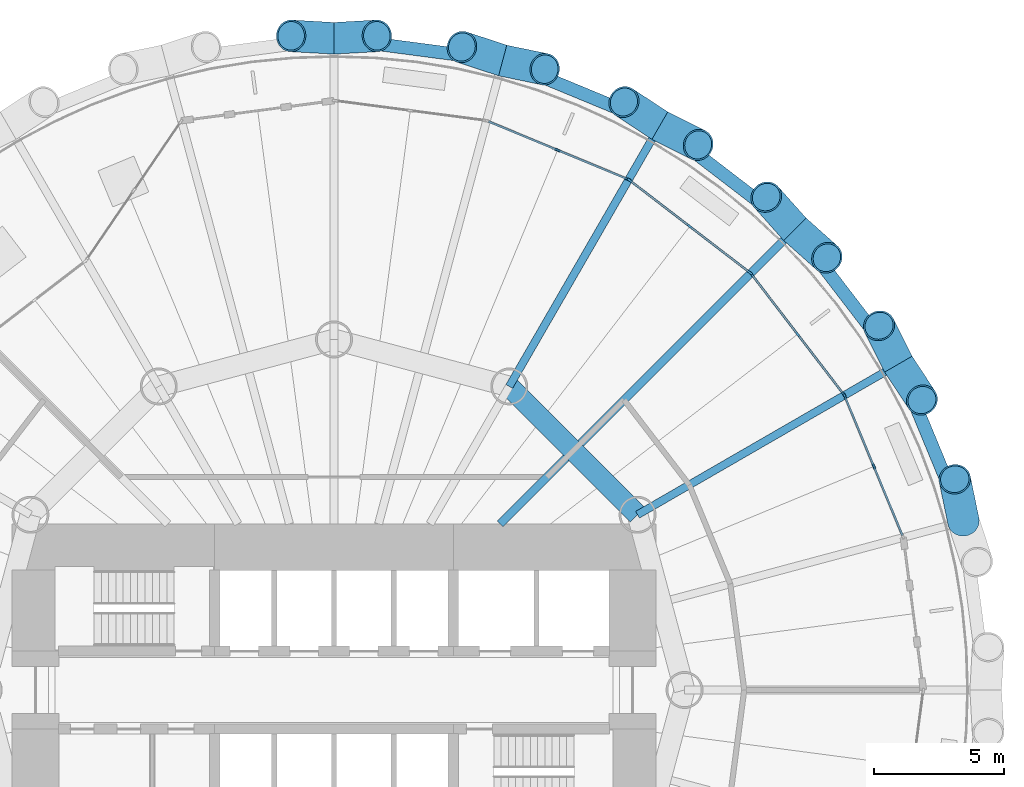
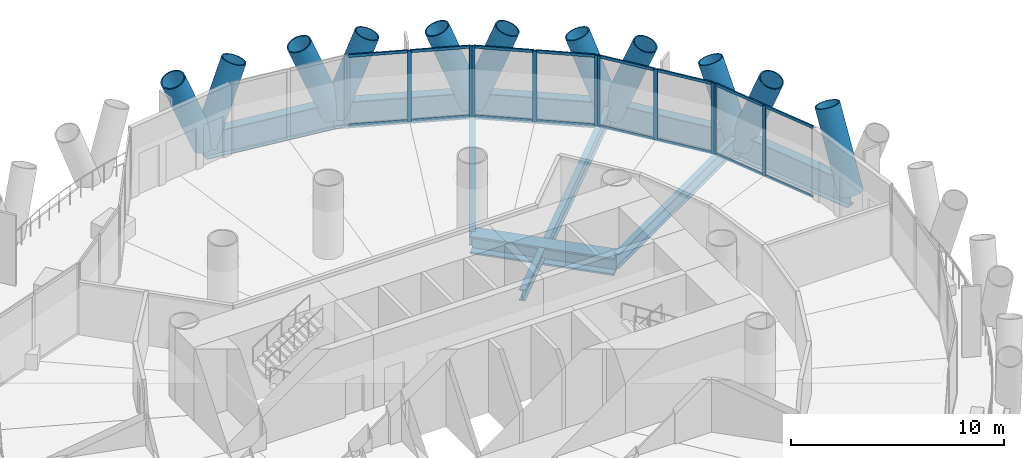
# One storey, part 6 of 14: 37 members, 10 beams, 4 elements without a shape of their own.
"""IFC4 building model written with IfcOpenShell, lengths in metres."""

import ifcopenshell
import ifcopenshell.guid

model = None  # the IFC model being written
_history = None  # IfcOwnerHistory: only IFC2X3 demands one
_inside = {}  # id of a spatial element -> (the spatial element, [elements in it])
_under = {}  # id of a project, library or spatial element -> (it, [spatial elements below it])
_declared = {}  # id of a project -> (the project, [libraries it declares])
_typed = {}  # id of a type object -> (the type object, [elements of that type])
_made_of = {}  # id of a material, layer set ... -> (it, [elements and type objects made of it])


def new_model(schema):
    """Start an empty IFC model of exactly this schema.

    Asked for "IFC4X3", IfcOpenShell would pick the latest addendum, in which some entities
    have other attributes; the version numbers below select the first issue.
    IFC2X3 requires an IfcOwnerHistory on every rooted entity: one is made here for all.
    """
    global model, _history
    if schema == "IFC4X3":
        model = ifcopenshell.file(schema_version=(4, 3, 0, 0))
    else:
        model = ifcopenshell.file(schema=schema)
    _inside.clear()
    _under.clear()
    _declared.clear()
    _typed.clear()
    _made_of.clear()
    _history = None
    if model.schema == "IFC2X3":
        org = make("IfcOrganization", Name="unknown")
        user = make(
            "IfcPersonAndOrganization",
            ThePerson=make("IfcPerson", FamilyName="unknown"),
            TheOrganization=org,
        )
        app = make(
            "IfcApplication",
            ApplicationDeveloper=org,
            Version="unknown",
            ApplicationFullName="unknown",
            ApplicationIdentifier="unknown",
        )
        _history = make(
            "IfcOwnerHistory",
            OwningUser=user,
            OwningApplication=app,
            ChangeAction="ADDED",
            CreationDate=0,
        )
    return model


def make(cls, **values):
    """One entity of the class cls with the attributes given. An attribute that is None is left unset."""
    return model.create_entity(
        cls, **{name: value for name, value in values.items() if value is not None}
    )


def rooted(cls, **values):
    """An entity with a GlobalId (a new one), such as an element, a storey or a relation."""
    return make(cls, GlobalId=ifcopenshell.guid.new(), OwnerHistory=_history, **values)


def si_unit(unit_type, name, prefix=None):
    """IfcSIUnit, for example si_unit("LENGTHUNIT", "METRE", prefix="MILLI")."""
    return make("IfcSIUnit", UnitType=unit_type, Prefix=prefix, Name=name)


def assignment(units):
    """IfcUnitAssignment: the units of a project."""
    return None if units is None else make("IfcUnitAssignment", Units=units)


def point(xyz):
    """IfcCartesianPoint."""
    return None if xyz is None else make("IfcCartesianPoint", Coordinates=xyz)


def direction(xyz):
    """IfcDirection."""
    return None if xyz is None else make("IfcDirection", DirectionRatios=xyz)


def frame(location, z_axis=None, x_axis=None):
    """IfcAxis2Placement3D, a coordinate frame: its origin and axes. An axis left out is left unset."""
    return make(
        "IfcAxis2Placement3D",
        Location=point(location),
        Axis=direction(z_axis),
        RefDirection=direction(x_axis),
    )


def frame_2d(location, x_axis=None):
    """IfcAxis2Placement2D, a coordinate frame in the plane: its origin and x axis."""
    return make(
        "IfcAxis2Placement2D", Location=point(location), RefDirection=direction(x_axis)
    )


def origin():
    """The frame at (0, 0, 0) with its axes left unset."""
    return frame((0.0, 0.0, 0.0))


def origin_2d():
    """The frame at (0, 0) in the plane with its x axis left unset."""
    return frame_2d((0.0, 0.0))


def place(relative_to, where):
    """IfcLocalPlacement: puts the frame where relative to a parent placement (None: the world)."""
    return make(
        "IfcLocalPlacement", PlacementRelTo=relative_to, RelativePlacement=where
    )


def context(
    kind, dimensions, precision=None, world=None, true_north=None, identifier=None
):
    """IfcGeometricRepresentationContext, for example the 3D "Model" context."""
    return make(
        "IfcGeometricRepresentationContext",
        ContextIdentifier=identifier,
        ContextType=kind,
        CoordinateSpaceDimension=dimensions,
        Precision=precision,
        WorldCoordinateSystem=world,
        TrueNorth=true_north,
    )


def subcontext(parent, identifier, kind, view, scale=None):
    """IfcGeometricRepresentationSubContext, for example "Body" below "Model"."""
    return make(
        "IfcGeometricRepresentationSubContext",
        ContextIdentifier=identifier,
        ContextType=kind,
        ParentContext=parent,
        TargetScale=scale,
        TargetView=view,
    )


def project(units=None, contexts=None):
    """IfcProject with its units and contexts."""
    return rooted(
        "IfcProject",
        Name="project",
        RepresentationContexts=contexts,
        UnitsInContext=assignment(units),
    )


def spatial(cls, under=None, at=None, **own):
    """A site, building, storey or space (cls), placed at a placement, below another one or the project."""
    s = rooted(cls, ObjectPlacement=at, **own)
    if under is not None:
        _under.setdefault(under.id(), (under, []))[1].append(s)
    return s


def profile(cls, at=None, kind="AREA", **sizes):
    """A parametric profile (cls). Its sizes go by their IFC names, for example OverallWidth=200.0."""
    return make(cls, ProfileType=kind, Position=at, **sizes)


def rectangle(**sizes):
    """IfcRectangleProfileDef."""
    return profile("IfcRectangleProfileDef", **sizes)


def hollow_circle(**sizes):
    """IfcCircleHollowProfileDef."""
    return profile("IfcCircleHollowProfileDef", **sizes)


def i_section(**sizes):
    """IfcIShapeProfileDef."""
    return profile("IfcIShapeProfileDef", **sizes)


def extrude(swept, where, along, depth):
    """IfcExtrudedAreaSolid: the profile swept, set in the frame where, extruded along a direction by depth."""
    return make(
        "IfcExtrudedAreaSolid",
        SweptArea=swept,
        Position=where,
        ExtrudedDirection=direction(along),
        Depth=depth,
    )


def shape(context_of_items, identifier, shape_type, items):
    """IfcShapeRepresentation: the items that make up one representation, for example the "Body"."""
    return make(
        "IfcShapeRepresentation",
        ContextOfItems=context_of_items,
        RepresentationIdentifier=identifier,
        RepresentationType=shape_type,
        Items=items,
    )


def material(Name=None, Category=None):
    """IfcMaterial."""
    return make("IfcMaterial", Name=Name, Category=Category)


def material_profile(
    of_material, cross_section, Name=None, Category=None, Priority=None
):
    """IfcMaterialProfile: a cross section and its material."""
    return make(
        "IfcMaterialProfile",
        Name=Name,
        Material=of_material,
        Profile=cross_section,
        Priority=Priority,
        Category=Category,
    )


def profile_set(profiles, Name=None, composite=None):
    """IfcMaterialProfileSet."""
    return make(
        "IfcMaterialProfileSet",
        Name=Name,
        MaterialProfiles=profiles,
        CompositeProfile=composite,
    )


def made_of(thing, what):
    """Note that an element or type object is made of a material, layer set ...; save() writes the relation."""
    if what is not None:
        _made_of.setdefault(what.id(), (what, []))[1].append(thing)
    return thing


def type_object(cls, material=None, **own):
    """A type object (cls), such as IfcWallType, which elements share."""
    return made_of(rooted(cls, **own), material)


def element(
    cls,
    number,
    at=None,
    inside=None,
    cuts=None,
    type_object=None,
    material=None,
    context=None,
    identifier="Body",
    shape_type=None,
    held_by="IfcProductDefinitionShape",
    body=None,
    shapes=None,
    **own,
):
    """One element of the class cls, such as IfcWall. Its Tag is "e" and its number.

    at: its placement. inside: the storey or other place that contains it. cuts: it is an
    opening in that element (IfcRelVoidsElement). A single representation is given by context,
    identifier, shape_type and body (its items); several are given by shapes. held_by: the class
    of the entity that holds the representations. save() writes the other relations.
    """
    e = rooted(cls, Tag="e%d" % number, ObjectPlacement=at, **own)
    if body is not None:
        shapes = [shape(context, identifier, shape_type, body)]
    if shapes is not None:
        e.Representation = make(held_by, Representations=shapes)
    if inside is not None:
        _inside.setdefault(inside.id(), (inside, []))[1].append(e)
    if cuts is not None:
        rooted(
            "IfcRelVoidsElement", RelatingBuildingElement=cuts, RelatedOpeningElement=e
        )
    if type_object is not None:
        _typed.setdefault(type_object.id(), (type_object, []))[1].append(e)
    return made_of(e, material)


def aggregate(whole, parts):
    """IfcRelAggregates: a whole, such as a stair, and the parts it consists of."""
    return rooted("IfcRelAggregates", RelatingObject=whole, RelatedObjects=parts)


def save(model, path):
    """Write the relations noted so far, then the file.

    IfcRelAggregates (storeys below a building ...), IfcRelContainedInSpatialStructure (elements
    in a storey), IfcRelDefinesByType, IfcRelAssociatesMaterial and IfcRelDeclares: one each for
    every whole, place, type object, material and project.
    """
    for whole, parts in _under.values():
        aggregate(whole, parts)
    for where, things in _inside.values():
        rooted(
            "IfcRelContainedInSpatialStructure",
            RelatedElements=things,
            RelatingStructure=where,
        )
    for kind, things in _typed.values():
        rooted("IfcRelDefinesByType", RelatedObjects=things, RelatingType=kind)
    for what, things in _made_of.values():
        rooted("IfcRelAssociatesMaterial", RelatedObjects=things, RelatingMaterial=what)
    for by, libraries in _declared.values():
        rooted("IfcRelDeclares", RelatingContext=by, RelatedDefinitions=libraries)
    model.write(path)


model = new_model("IFC4")

# Units and contexts
model_context = context("Model", 3, precision=1e-05, world=origin(), true_north=direction((0.0, 1.0)))
body_context = subcontext(model_context, "Body", "Model", "MODEL_VIEW")
ifc_project = project(units=[si_unit("LENGTHUNIT", "METRE"), si_unit("AREAUNIT", "SQUARE_METRE"), si_unit("VOLUMEUNIT", "CUBIC_METRE"), si_unit("PLANEANGLEUNIT", "RADIAN"), si_unit("MASSUNIT", "GRAM", prefix="KILO")], contexts=[model_context])

# Site, building, storey
site_placement = place(None, origin())
site = spatial("IfcSite", under=ifc_project, at=site_placement, CompositionType="ELEMENT")
building_placement = place(site_placement, origin())
building = spatial("IfcBuilding", under=site, at=building_placement, Name="Qaws Media Tower", CompositionType="ELEMENT")
storey_placement = place(building_placement, frame((0.0, 0.0, 59.60009765625)))
storey = spatial("IfcBuildingStorey", under=building, at=storey_placement, Name="L12", CompositionType="ELEMENT", Elevation=59.60009765625)

# Curtain wall, members
ifc_material_1 = material(Name="Aluminium and clear glass", Category="aluminium")
curtain_wall_type = type_object("IfcCurtainWallType", Name="Unitised curtain wall CW-A", PredefinedType="NOTDEFINED", material=ifc_material_1)
curtain_wall_1_placement = place(storey_placement, origin())
curtain_wall_1 = element("IfcCurtainWall", 1, at=curtain_wall_1_placement, inside=storey, type_object=curtain_wall_type, Name="CWA curtain wall L12-02", PredefinedType="NOTDEFINED")
ifc_material_2 = material(Name="Aluminium mullion", Category="aluminium")
ifc_material_profile_1 = material_profile(ifc_material_2, rectangle(XDim=0.080078125, YDim=0.199951171875, at=origin_2d()), Name="80x200")
ifc_profile_set_1 = profile_set([ifc_material_profile_1], Name="Aluminium mullion")
member_type_1 = type_object("IfcMemberType", Name="Curtain wall mullion 80x200", PredefinedType="MULLION", material=ifc_profile_set_1)
member_1_placement = place(storey_placement, frame((80.792724609375, 58.612548828125, 0.0), z_axis=(0.0, 0.0, 1.0), x_axis=(-0.923879575765, -0.382683327941, 0.0)))
member_1 = element("IfcMember", 2, at=member_1_placement, type_object=member_type_1, Name="CWA mullion 2", PredefinedType="MULLION", context=body_context, shape_type="SweptSolid", body=[
    extrude(rectangle(XDim=0.080078125, YDim=0.199951171875, at=origin_2d()), origin(), (0.0, 0.0, 1.0), 4.039794921875),
])
member_2_placement = place(storey_placement, frame((79.674072265625, 61.31298828125, 0.0), z_axis=(0.0, 0.0, 1.0), x_axis=(-0.923879575765, -0.382683327941, 0.0)))
member_2 = element("IfcMember", 3, at=member_2_placement, type_object=member_type_1, Name="CWA mullion 3", PredefinedType="MULLION", context=body_context, shape_type="SweptSolid", body=[
    extrude(rectangle(XDim=0.080078125, YDim=0.199951171875, at=origin_2d()), origin(), (0.0, 0.0, 1.0), 4.039794921875),
])

curtain_wall_2_placement = place(storey_placement, origin())
curtain_wall_2 = element("IfcCurtainWall", 4, at=curtain_wall_2_placement, inside=storey, type_object=curtain_wall_type, Name="CWA curtain wall L12-03", PredefinedType="NOTDEFINED")
member_3_placement = place(storey_placement, frame((79.634521484375, 61.3818359375, 0.0), z_axis=(0.0, 0.0, 1.0), x_axis=(-0.793353322718, -0.608761451911, 0.0)))
member_3 = element("IfcMember", 5, at=member_3_placement, type_object=member_type_1, Name="CWA mullion 1", PredefinedType="MULLION", context=body_context, shape_type="SweptSolid", body=[
    extrude(rectangle(XDim=0.080078125, YDim=0.199951171875, at=origin_2d()), origin(), (0.0, 0.0, 1.0), 4.039794921875),
])
member_4_placement = place(storey_placement, frame((77.85498046875, 63.70068359375, 0.0), z_axis=(0.0, 0.0, 1.0), x_axis=(-0.793353322718, -0.608761451911, 0.0)))
member_4 = element("IfcMember", 6, at=member_4_placement, type_object=member_type_1, Name="CWA mullion 2", PredefinedType="MULLION", context=body_context, shape_type="SweptSolid", body=[
    extrude(rectangle(XDim=0.080078125, YDim=0.199951171875, at=origin_2d()), origin(), (0.0, 0.0, 1.0), 4.039794921875),
])
member_5_placement = place(storey_placement, frame((76.07568359375, 66.01953125, 0.0), z_axis=(0.0, 0.0, 1.0), x_axis=(-0.793353322718, -0.608761451911, 0.0)))
member_5 = element("IfcMember", 7, at=member_5_placement, type_object=member_type_1, Name="CWA mullion 3", PredefinedType="MULLION", context=body_context, shape_type="SweptSolid", body=[
    extrude(rectangle(XDim=0.080078125, YDim=0.199951171875, at=origin_2d()), origin(), (0.0, 0.0, 1.0), 4.039794921875),
])

curtain_wall_3_placement = place(storey_placement, origin())
curtain_wall_3 = element("IfcCurtainWall", 8, at=curtain_wall_3_placement, inside=storey, type_object=curtain_wall_type, Name="CWA curtain wall L12-04", PredefinedType="NOTDEFINED")
member_6_placement = place(storey_placement, frame((76.01953125, 66.07568359375, 0.0), z_axis=(0.0, 0.0, 1.0), x_axis=(-0.608761451911, -0.793353322718, 0.0)))
member_6 = element("IfcMember", 9, at=member_6_placement, type_object=member_type_1, Name="CWA mullion 1", PredefinedType="MULLION", context=body_context, shape_type="SweptSolid", body=[
    extrude(rectangle(XDim=0.080078125, YDim=0.199951171875, at=origin_2d()), origin(), (0.0, 0.0, 1.0), 4.039794921875),
])
member_7_placement = place(storey_placement, frame((73.70068359375, 67.85498046875, 0.0), z_axis=(0.0, 0.0, 1.0), x_axis=(-0.608761451911, -0.793353322718, 0.0)))
member_7 = element("IfcMember", 10, at=member_7_placement, type_object=member_type_1, Name="CWA mullion 2", PredefinedType="MULLION", context=body_context, shape_type="SweptSolid", body=[
    extrude(rectangle(XDim=0.080078125, YDim=0.199951171875, at=origin_2d()), origin(), (0.0, 0.0, 1.0), 4.039794921875),
])
member_8_placement = place(storey_placement, frame((71.3818359375, 69.634521484375, 0.0), z_axis=(0.0, 0.0, 1.0), x_axis=(-0.608761451911, -0.793353322718, 0.0)))
member_8 = element("IfcMember", 11, at=member_8_placement, type_object=member_type_1, Name="CWA mullion 3", PredefinedType="MULLION", context=body_context, shape_type="SweptSolid", body=[
    extrude(rectangle(XDim=0.080078125, YDim=0.199951171875, at=origin_2d()), origin(), (0.0, 0.0, 1.0), 4.039794921875),
])

curtain_wall_4_placement = place(storey_placement, origin())
curtain_wall_4 = element("IfcCurtainWall", 12, at=curtain_wall_4_placement, inside=storey, type_object=curtain_wall_type, Name="CWA curtain wall L12-05", PredefinedType="NOTDEFINED")
member_9_placement = place(storey_placement, frame((71.31298828125, 69.674072265625, 0.0), z_axis=(0.0, 0.0, 1.0), x_axis=(-0.382683327941, -0.923879575765, 0.0)))
member_9 = element("IfcMember", 13, at=member_9_placement, type_object=member_type_1, Name="CWA mullion 1", PredefinedType="MULLION", context=body_context, shape_type="SweptSolid", body=[
    extrude(rectangle(XDim=0.080078125, YDim=0.199951171875, at=origin_2d()), origin(), (0.0, 0.0, 1.0), 4.039794921875),
])
member_10_placement = place(storey_placement, frame((68.612548828125, 70.792724609375, 0.0), z_axis=(0.0, 0.0, 1.0), x_axis=(-0.382683327941, -0.923879575765, 0.0)))
member_10 = element("IfcMember", 14, at=member_10_placement, type_object=member_type_1, Name="CWA mullion 2", PredefinedType="MULLION", context=body_context, shape_type="SweptSolid", body=[
    extrude(rectangle(XDim=0.080078125, YDim=0.199951171875, at=origin_2d()), origin(), (0.0, 0.0, 1.0), 4.039794921875),
])

# Member
ifc_material_3 = material(Name="Aluminium transom", Category="aluminium")
ifc_material_profile_2 = material_profile(ifc_material_3, rectangle(XDim=0.080078125, YDim=0.159912109375, at=origin_2d()), Name="80x160")
ifc_profile_set_2 = profile_set([ifc_material_profile_2], Name="Aluminium transom")
member_type_2 = type_object("IfcMemberType", Name="Curtain wall transom 80x160", PredefinedType="USERDEFINED", material=ifc_profile_set_2)
member_11_placement = place(storey_placement, frame((81.89599609375, 55.94921875, 0.039794921875), z_axis=(-0.382748704437, 0.923852493232, 0.0), x_axis=(-0.923852493232, -0.382748704437, 0.0)))
member_11 = element("IfcMember", 15, at=member_11_placement, type_object=member_type_2, Name="CWA transom 1.1", ObjectType="TRANSOM", PredefinedType="USERDEFINED", context=body_context, shape_type="SweptSolid", body=[
    extrude(rectangle(XDim=0.080078125, YDim=0.159912109375, at=origin_2d()), origin(), (0.0, 0.0, 1.0), 2.843017578125),
])

member_12_placement = place(storey_placement, frame((81.89599609375, 55.94921875, 4.0), z_axis=(-0.382748704437, 0.923852493232, 0.0), x_axis=(-0.923852493232, -0.382748704437, 0.0)))
member_12 = element("IfcMember", 16, at=member_12_placement, type_object=member_type_2, Name="CWA transom 1.2", ObjectType="TRANSOM", PredefinedType="USERDEFINED", context=body_context, shape_type="SweptSolid", body=[
    extrude(rectangle(XDim=0.080078125, YDim=0.159912109375, at=origin_2d()), origin(), (0.0, 0.0, 1.0), 2.843017578125),
])

member_13_placement = place(storey_placement, frame((80.77734375, 58.649658203125, 0.039794921875), z_axis=(-0.382675405483, 0.923882857314, 0.0), x_axis=(-0.923882857314, -0.382675405483, 0.0)))
member_13 = element("IfcMember", 17, at=member_13_placement, type_object=member_type_2, Name="CWA transom 2.1", ObjectType="TRANSOM", PredefinedType="USERDEFINED", context=body_context, shape_type="SweptSolid", body=[
    extrude(rectangle(XDim=0.080078125, YDim=0.159912109375, at=origin_2d()), origin(), (0.0, 0.0, 1.0), 2.8427734375),
])

member_14_placement = place(storey_placement, frame((80.77734375, 58.649658203125, 4.0), z_axis=(-0.382675405483, 0.923882857314, 0.0), x_axis=(-0.923882857314, -0.382675405483, 0.0)))
member_14 = element("IfcMember", 18, at=member_14_placement, type_object=member_type_2, Name="CWA transom 2.2", ObjectType="TRANSOM", PredefinedType="USERDEFINED", context=body_context, shape_type="SweptSolid", body=[
    extrude(rectangle(XDim=0.080078125, YDim=0.159912109375, at=origin_2d()), origin(), (0.0, 0.0, 1.0), 2.8427734375),
])

aggregate(curtain_wall_1, [member_1, member_2, member_11, member_12, member_13, member_14])

member_15_placement = place(storey_placement, frame((79.610107421875, 61.41357421875, 0.039794921875), z_axis=(-0.608784848689, 0.79333536919, 0.0), x_axis=(-0.79333536919, -0.608784848689, 0.0)))
member_15 = element("IfcMember", 19, at=member_15_placement, type_object=member_type_2, Name="CWA transom 1.1", ObjectType="TRANSOM", PredefinedType="USERDEFINED", context=body_context, shape_type="SweptSolid", body=[
    extrude(rectangle(XDim=0.080078125, YDim=0.159912109375, at=origin_2d()), origin(), (0.0, 0.0, 1.0), 2.843017578125),
])

member_16_placement = place(storey_placement, frame((79.610107421875, 61.41357421875, 4.0), z_axis=(-0.608784848689, 0.79333536919, 0.0), x_axis=(-0.79333536919, -0.608784848689, 0.0)))
member_16 = element("IfcMember", 20, at=member_16_placement, type_object=member_type_2, Name="CWA transom 1.2", ObjectType="TRANSOM", PredefinedType="USERDEFINED", context=body_context, shape_type="SweptSolid", body=[
    extrude(rectangle(XDim=0.080078125, YDim=0.159912109375, at=origin_2d()), origin(), (0.0, 0.0, 1.0), 2.843017578125),
])

member_17_placement = place(storey_placement, frame((77.830810546875, 63.732421875, 0.039794921875), z_axis=(-0.608784848689, 0.79333536919, 0.0), x_axis=(-0.79333536919, -0.608784848689, 0.0)))
member_17 = element("IfcMember", 21, at=member_17_placement, type_object=member_type_2, Name="CWA transom 2.1", ObjectType="TRANSOM", PredefinedType="USERDEFINED", context=body_context, shape_type="SweptSolid", body=[
    extrude(rectangle(XDim=0.080078125, YDim=0.159912109375, at=origin_2d()), origin(), (0.0, 0.0, 1.0), 2.843017578125),
])

member_18_placement = place(storey_placement, frame((77.830810546875, 63.732421875, 4.0), z_axis=(-0.608784848689, 0.79333536919, 0.0), x_axis=(-0.79333536919, -0.608784848689, 0.0)))
member_18 = element("IfcMember", 22, at=member_18_placement, type_object=member_type_2, Name="CWA transom 2.2", ObjectType="TRANSOM", PredefinedType="USERDEFINED", context=body_context, shape_type="SweptSolid", body=[
    extrude(rectangle(XDim=0.080078125, YDim=0.159912109375, at=origin_2d()), origin(), (0.0, 0.0, 1.0), 2.843017578125),
])

aggregate(curtain_wall_2, [member_3, member_4, member_5, member_15, member_16, member_17, member_18])

member_19_placement = place(storey_placement, frame((75.98779296875, 66.10009765625, 0.039794921875), z_axis=(-0.79333536919, 0.608784848689, 0.0), x_axis=(-0.608784848689, -0.79333536919, 0.0)))
member_19 = element("IfcMember", 23, at=member_19_placement, type_object=member_type_2, Name="CWA transom 1.1", ObjectType="TRANSOM", PredefinedType="USERDEFINED", context=body_context, shape_type="SweptSolid", body=[
    extrude(rectangle(XDim=0.080078125, YDim=0.159912109375, at=origin_2d()), origin(), (0.0, 0.0, 1.0), 2.843017578125),
])

member_20_placement = place(storey_placement, frame((75.98779296875, 66.10009765625, 4.0), z_axis=(-0.79333536919, 0.608784848689, 0.0), x_axis=(-0.608784848689, -0.79333536919, 0.0)))
member_20 = element("IfcMember", 24, at=member_20_placement, type_object=member_type_2, Name="CWA transom 1.2", ObjectType="TRANSOM", PredefinedType="USERDEFINED", context=body_context, shape_type="SweptSolid", body=[
    extrude(rectangle(XDim=0.080078125, YDim=0.159912109375, at=origin_2d()), origin(), (0.0, 0.0, 1.0), 2.843017578125),
])

member_21_placement = place(storey_placement, frame((73.6689453125, 67.87939453125, 0.039794921875), z_axis=(-0.79333536919, 0.608784848689, 0.0), x_axis=(-0.608784848689, -0.79333536919, 0.0)))
member_21 = element("IfcMember", 25, at=member_21_placement, type_object=member_type_2, Name="CWA transom 2.1", ObjectType="TRANSOM", PredefinedType="USERDEFINED", context=body_context, shape_type="SweptSolid", body=[
    extrude(rectangle(XDim=0.080078125, YDim=0.159912109375, at=origin_2d()), origin(), (0.0, 0.0, 1.0), 2.843017578125),
])

member_22_placement = place(storey_placement, frame((73.6689453125, 67.87939453125, 4.0), z_axis=(-0.79333536919, 0.608784848689, 0.0), x_axis=(-0.608784848689, -0.79333536919, 0.0)))
member_22 = element("IfcMember", 26, at=member_22_placement, type_object=member_type_2, Name="CWA transom 2.2", ObjectType="TRANSOM", PredefinedType="USERDEFINED", context=body_context, shape_type="SweptSolid", body=[
    extrude(rectangle(XDim=0.080078125, YDim=0.159912109375, at=origin_2d()), origin(), (0.0, 0.0, 1.0), 2.843017578125),
])

aggregate(curtain_wall_3, [member_6, member_7, member_8, member_19, member_20, member_21, member_22])

member_23_placement = place(storey_placement, frame((71.276123046875, 69.689453125, 0.039794921875), z_axis=(-0.923882857314, 0.382675405483, 0.0), x_axis=(-0.382675405483, -0.923882857314, 0.0)))
member_23 = element("IfcMember", 27, at=member_23_placement, type_object=member_type_2, Name="CWA transom 1.1", ObjectType="TRANSOM", PredefinedType="USERDEFINED", context=body_context, shape_type="SweptSolid", body=[
    extrude(rectangle(XDim=0.080078125, YDim=0.159912109375, at=origin_2d()), origin(), (0.0, 0.0, 1.0), 2.8427734375),
])

member_24_placement = place(storey_placement, frame((71.276123046875, 69.689453125, 4.0), z_axis=(-0.923882857314, 0.382675405483, 0.0), x_axis=(-0.382675405483, -0.923882857314, 0.0)))
member_24 = element("IfcMember", 28, at=member_24_placement, type_object=member_type_2, Name="CWA transom 1.2", ObjectType="TRANSOM", PredefinedType="USERDEFINED", context=body_context, shape_type="SweptSolid", body=[
    extrude(rectangle(XDim=0.080078125, YDim=0.159912109375, at=origin_2d()), origin(), (0.0, 0.0, 1.0), 2.8427734375),
])

member_25_placement = place(storey_placement, frame((68.57568359375, 70.807861328125, 0.039794921875), z_axis=(-0.923852493232, 0.382748704437, 0.0), x_axis=(-0.382748704437, -0.923852493232, 0.0)))
member_25 = element("IfcMember", 29, at=member_25_placement, type_object=member_type_2, Name="CWA transom 2.1", ObjectType="TRANSOM", PredefinedType="USERDEFINED", context=body_context, shape_type="SweptSolid", body=[
    extrude(rectangle(XDim=0.080078125, YDim=0.159912109375, at=origin_2d()), origin(), (0.0, 0.0, 1.0), 2.843017578125),
])

member_26_placement = place(storey_placement, frame((68.57568359375, 70.807861328125, 4.0), z_axis=(-0.923852493232, 0.382748704437, 0.0), x_axis=(-0.382748704437, -0.923852493232, 0.0)))
member_26 = element("IfcMember", 30, at=member_26_placement, type_object=member_type_2, Name="CWA transom 2.2", ObjectType="TRANSOM", PredefinedType="USERDEFINED", context=body_context, shape_type="SweptSolid", body=[
    extrude(rectangle(XDim=0.080078125, YDim=0.159912109375, at=origin_2d()), origin(), (0.0, 0.0, 1.0), 2.843017578125),
])

aggregate(curtain_wall_4, [member_9, member_10, member_23, member_24, member_25, member_26])

# Members
ifc_material_4 = material(Name="Steel S460", Category="steel")
ifc_material_profile_3 = material_profile(ifc_material_4, hollow_circle(Radius=0.609619140625, WallThickness=0.06005859375, at=origin_2d()), Name="CHS 1219x60")
ifc_profile_set_3 = profile_set([ifc_material_profile_3], Name="Steel S460")
member_type_3 = type_object("IfcMemberType", Name="Diagrid member CHS 1219x60", PredefinedType="USERDEFINED", material=ifc_profile_set_3)
for number, where, z_axis, x_axis, name in (
    (31, (84.24462890625, 56.496337890625, -0.91015625), (-0.074150438913, 0.358907594916, 0.930423049328), (-0.979317929805, -0.202327438481, 0.0), "DG1 diagrid L12 A02"),
    (32, (81.7373046875, 62.550048828125, -0.91015625), (-0.164529113821, 0.327435652555, 0.930438640718), (-0.893539867658, -0.448983858179, 0.0), "DG1 diagrid L12 A03"),
    (33, (81.7373046875, 62.550048828125, -0.91015625), (0.201305466164, -0.306230937512, 0.930429321444), (0.835620318597, 0.549307457757, 0.0), "DG1 diagrid L12 B03"),
    (34, (77.748291015625, 67.748291015625, -0.91015625), (-0.243655243195, 0.273726789303, 0.930433107365), (-0.746944996152, -0.664885834354, 0.0), "DG1 diagrid L12 A04"),
    (35, (77.748291015625, 67.748291015625, -0.91015625), (0.273726789303, -0.243655243195, 0.930433107365), (0.664885834354, 0.746944996152, 0.0), "DG1 diagrid L12 B04"),
    (36, (72.550048828125, 71.7373046875, -0.91015625), (-0.306230937512, 0.201305466164, 0.930429321444), (-0.549307457757, -0.835620318597, 0.0), "DG1 diagrid L12 A05"),
    (37, (72.550048828125, 71.7373046875, -0.91015625), (0.327435652555, -0.164529113821, 0.930438640718), (0.448983858179, 0.893539867658, 0.0), "DG1 diagrid L12 B05"),
    (38, (66.496337890625, 74.24462890625, -0.91015625), (-0.347876483521, 0.115255719276, 0.930428971705), (-0.314500514836, -0.949257302404, 0.0), "DG1 diagrid L12 A06"),
    (39, (66.496337890625, 74.24462890625, -0.91015625), (0.358907594916, -0.074150438913, 0.930423049328), (0.202327438481, 0.979317929805, 0.0), "DG1 diagrid L12 B06"),
    (40, (60.0, 75.10009765625, -0.91015625), (-0.365835812381, 0.021255688094, 0.930436647012), (-0.05800389241, -0.998316356906, 0.0), "DG1 diagrid L12 A07"),
    (41, (60.0, 75.10009765625, -0.91015625), (0.365835812381, 0.021255688094, 0.930436647012), (-0.05800389241, 0.998316356906, 0.0), "DG1 diagrid L12 B07"),
):
    element("IfcMember", number, at=place(storey_placement, frame(where, z_axis=z_axis, x_axis=x_axis)), inside=storey, type_object=member_type_3, Name=name, ObjectType="DIAGRID", PredefinedType="USERDEFINED", context=body_context, shape_type="SweptSolid", body=[
        extrude(hollow_circle(Radius=0.609619140625, WallThickness=0.06005859375, at=origin_2d()), origin(), (0.0, 0.0, 1.0), 4.513916015625),
    ])

# Beams
ifc_material_5 = material(Name="Steel S460", Category="steel")
ifc_material_profile_4 = material_profile(ifc_material_5, i_section(OverallWidth=0.5, OverallDepth=1.5, WebThickness=0.02001953125, FlangeThickness=0.0400390625, at=origin_2d()), Name="PG 1500x500")
ifc_profile_set_4 = profile_set([ifc_material_profile_4], Name="Steel S460")
beam_type_1 = type_object("IfcBeamType", Name="Edge ring beam PG 1500x500", PredefinedType="BEAM", material=ifc_profile_set_4)
for number, where, z_axis, x_axis, name in (
    (42, (84.24462890625, 56.496337890625, -0.91015625), (-0.382656733729, 0.923890590997, 0.0), (-0.923890590997, -0.382656733729, 0.0), "RB4 edge ring beam L12-02"),
    (43, (81.7373046875, 62.550048828125, -0.91015625), (-0.608786610398, 0.793334017296, 0.0), (-0.793334017296, -0.608786610398, 0.0), "RB4 edge ring beam L12-03"),
    (44, (77.748291015625, 67.748291015625, -0.91015625), (-0.793334017296, 0.608786610398, 0.0), (-0.608786610398, -0.793334017296, 0.0), "RB4 edge ring beam L12-04"),
    (45, (72.550048828125, 71.7373046875, -0.91015625), (-0.923890590997, 0.382656733729, 0.0), (-0.382656733729, -0.923890590997, 0.0), "RB4 edge ring beam L12-05"),
    (46, (66.496337890625, 74.24462890625, -0.91015625), (-0.991440720481, 0.130557641571, 0.0), (-0.130557641571, -0.991440720481, 0.0), "RB4 edge ring beam L12-06"),
):
    element("IfcBeam", number, at=place(storey_placement, frame(where, z_axis=z_axis, x_axis=x_axis)), inside=storey, type_object=beam_type_1, Name=name, PredefinedType="BEAM", context=body_context, shape_type="SweptSolid", body=[
        extrude(i_section(OverallWidth=0.5, OverallDepth=1.5, WebThickness=0.02001953125, FlangeThickness=0.0400390625, at=origin_2d()), origin(), (0.0, 0.0, 1.0), 6.552490234375),
    ])
ifc_material_6 = material(Name="Steel S460", Category="steel")
ifc_material_profile_5 = material_profile(ifc_material_6, i_section(OverallWidth=0.800048828125, OverallDepth=1.0, WebThickness=0.0400390625, FlangeThickness=0.10009765625, at=origin_2d()), Name="PG 1000x800")
ifc_profile_set_5 = profile_set([ifc_material_profile_5], Name="Steel S460")
beam_type_2 = type_object("IfcBeamType", Name="Inner ring girder PG 1000x800", PredefinedType="BEAM", material=ifc_profile_set_5)
beam_1_placement = place(storey_placement, frame((71.69140625, 56.75, -0.66015625), z_axis=(-0.707106781187, 0.707106781187, 0.0), x_axis=(-0.707106781187, -0.707106781187, 0.0)))
element("IfcBeam", 47, at=beam_1_placement, inside=storey, type_object=beam_type_2, Name="B3 inner ring beam L12 I02-I03", PredefinedType="BEAM", context=body_context, shape_type="SweptSolid", body=[
    extrude(i_section(OverallWidth=0.800048828125, OverallDepth=1.0, WebThickness=0.0400390625, FlangeThickness=0.10009765625, at=origin_2d()), origin(), (0.0, 0.0, 1.0), 6.98828125),
])
ifc_material_7 = material(Name="Steel S355", Category="steel")
ifc_material_profile_6 = material_profile(ifc_material_7, i_section(OverallWidth=0.304931640625, OverallDepth=0.6201171875, WebThickness=0.02099609375, FlangeThickness=0.0400390625, FilletRadius=0.027099609375, at=origin_2d()), Name="HE 600 M")
ifc_profile_set_6 = profile_set([ifc_material_profile_6], Name="Steel S355")
beam_type_3 = type_object("IfcBeamType", Name="Radial beam HE 600 M, core side", PredefinedType="BEAM", material=ifc_profile_set_6)
beam_2_placement = place(storey_placement, frame((66.39990234375, 56.39990234375, -0.47021484375), z_axis=(0.707106781187, 0.707106781187, 0.0), x_axis=(-0.707106781187, 0.707106781187, 0.0)))
element("IfcBeam", 48, at=beam_2_placement, inside=storey, type_object=beam_type_3, Name="B2 radial beam L12 04", PredefinedType="BEAM", context=body_context, shape_type="SweptSolid", body=[
    extrude(i_section(OverallWidth=0.304931640625, OverallDepth=0.6201171875, WebThickness=0.02099609375, FlangeThickness=0.0400390625, FilletRadius=0.027099609375, at=origin_2d()), origin(), (0.0, 0.0, 1.0), 3.589111328125),
])
ifc_material_8 = material(Name="Steel S355", Category="steel")
ifc_material_profile_7 = material_profile(ifc_material_8, i_section(OverallWidth=0.300048828125, OverallDepth=0.800048828125, WebThickness=0.017578125, FlangeThickness=0.032958984375, FilletRadius=0.030029296875, at=origin_2d()), Name="HE 800 B")
ifc_profile_set_7 = profile_set([ifc_material_profile_7], Name="Steel S355")
beam_type_4 = type_object("IfcBeamType", Name="Radial beam HE 800 B", PredefinedType="BEAM", material=ifc_profile_set_7)
beam_3_placement = place(storey_placement, frame((71.69140625, 56.75, -0.56005859375), z_axis=(0.86602366199, 0.500003016864, 0.0), x_axis=(-0.500003016864, 0.86602366199, 0.0)))
element("IfcBeam", 49, at=beam_3_placement, inside=storey, type_object=beam_type_4, Name="B1 radial beam L12 03", PredefinedType="BEAM", context=body_context, shape_type="SweptSolid", body=[
    extrude(i_section(OverallWidth=0.300048828125, OverallDepth=0.800048828125, WebThickness=0.017578125, FlangeThickness=0.032958984375, FilletRadius=0.030029296875, at=origin_2d()), origin(), (0.0, 0.0, 1.0), 11.60009765625),
])
beam_4_placement = place(storey_placement, frame((69.50341796875, 59.50341796875, -0.56005859375), z_axis=(0.707106781187, 0.707106781187, 0.0), x_axis=(-0.707106781187, 0.707106781187, 0.0)))
element("IfcBeam", 50, at=beam_4_placement, inside=storey, type_object=beam_type_4, Name="B1 radial beam L12 04", PredefinedType="BEAM", context=body_context, shape_type="SweptSolid", body=[
    extrude(i_section(OverallWidth=0.300048828125, OverallDepth=0.800048828125, WebThickness=0.017578125, FlangeThickness=0.032958984375, FilletRadius=0.030029296875, at=origin_2d()), origin(), (0.0, 0.0, 1.0), 11.659912109375),
])
beam_5_placement = place(storey_placement, frame((66.75, 61.69140625, -0.56005859375), z_axis=(0.500003016864, 0.86602366199, 0.0), x_axis=(-0.86602366199, 0.500003016864, 0.0)))
element("IfcBeam", 51, at=beam_5_placement, inside=storey, type_object=beam_type_4, Name="B1 radial beam L12 05", PredefinedType="BEAM", context=body_context, shape_type="SweptSolid", body=[
    extrude(i_section(OverallWidth=0.300048828125, OverallDepth=0.800048828125, WebThickness=0.017578125, FlangeThickness=0.032958984375, FilletRadius=0.030029296875, at=origin_2d()), origin(), (0.0, 0.0, 1.0), 11.60009765625),
])

save(model, "model.ifc")
